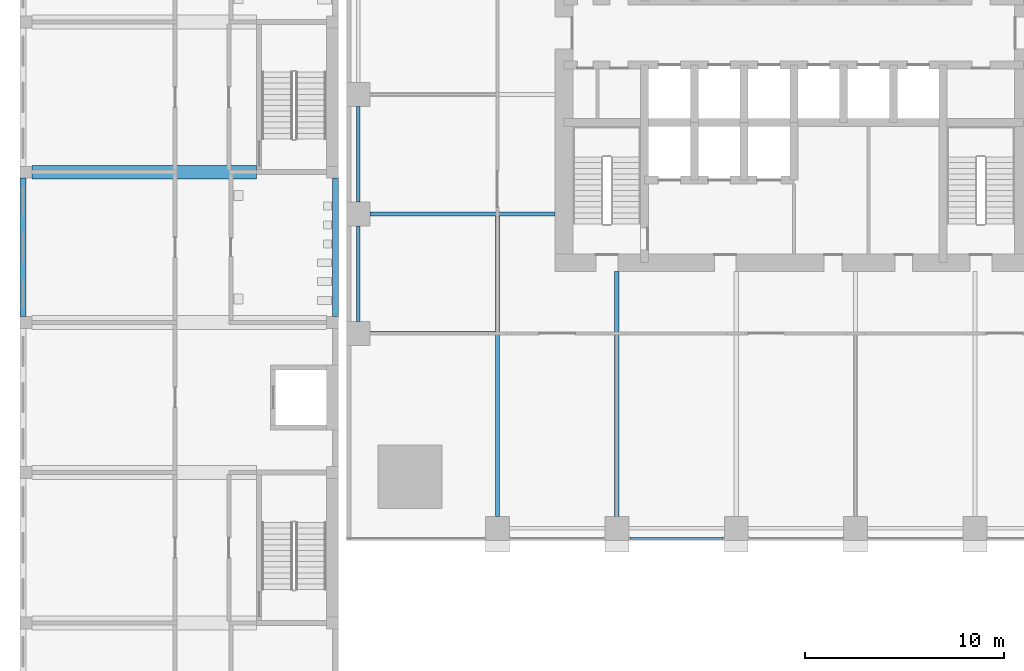
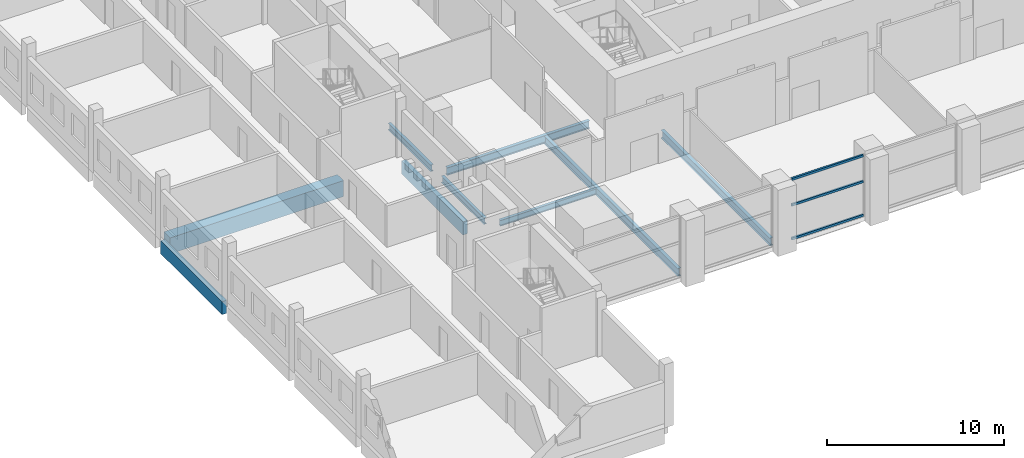
# One storey, part 3 of 24: 9 beams, 3 members, 1 element without a shape of its own.
"""IFC4 building model written with IfcOpenShell, lengths in metres."""

from ifc_helpers import new_model, si_unit, direction, frame, origin, origin_2d, place, context, subcontext, project, spatial, rectangle, i_section, extrude, material, material_profile, profile_set, type_object, element, aggregate, save


model = new_model("IFC4")

# Units and contexts
model_context = context("Model", 3, precision=1e-05, world=origin(), true_north=direction((0.0, 1.0)))
body_context = subcontext(model_context, "Body", "Model", "MODEL_VIEW")
ifc_project = project(units=[si_unit("LENGTHUNIT", "METRE"), si_unit("AREAUNIT", "SQUARE_METRE"), si_unit("VOLUMEUNIT", "CUBIC_METRE"), si_unit("PLANEANGLEUNIT", "RADIAN"), si_unit("MASSUNIT", "GRAM", prefix="KILO")], contexts=[model_context])

# Site, building, storey
site_placement = place(None, origin())
site = spatial("IfcSite", under=ifc_project, at=site_placement, CompositionType="ELEMENT")
building_placement = place(site_placement, origin())
building = spatial("IfcBuilding", under=site, at=building_placement, Name="Amberfall Residences", CompositionType="ELEMENT")
storey_placement = place(building_placement, frame((0.0, 0.0, 19.0)))
storey = spatial("IfcBuildingStorey", under=building, at=storey_placement, Name="L04", CompositionType="ELEMENT", Elevation=19.0)

# Curtain wall, members
ifc_material_1 = material(Name="Bronze anodised aluminium and glass", Category="aluminium")
curtain_wall_type = type_object("IfcCurtainWallType", Name="Curtain wall CW4 podium storefront", PredefinedType="USERDEFINED", material=ifc_material_1)
curtain_wall_placement = place(storey_placement, origin())
curtain_wall = element("IfcCurtainWall", 1, at=curtain_wall_placement, inside=storey, type_object=curtain_wall_type, Name="Storefront L04 S3", ObjectType="UNITISED CURTAIN WALL", PredefinedType="USERDEFINED")
ifc_material_2 = material(Name="Bronze anodised aluminium", Category="aluminium")
ifc_material_profile_1 = material_profile(ifc_material_2, rectangle(XDim=0.1201171875, YDim=0.14990234375, at=origin_2d()), Name="CW4 transom 120 x 150 bronze")
ifc_profile_set_1 = profile_set([ifc_material_profile_1], Name="Bronze anodised aluminium")
member_type = type_object("IfcMemberType", Name="CW4 transom 120 x 150 bronze", PredefinedType="USERDEFINED", material=ifc_profile_set_1)
member_1_placement = place(storey_placement, frame((66.27001953125, 20.10009765625, 0.074951171875), z_axis=(1.0, 0.0, 0.0), x_axis=(0.0, 1.0, 0.0)))
member_1 = element("IfcMember", 2, at=member_1_placement, type_object=member_type, Name="CW4 transom 1.1", ObjectType="TRANSOM", PredefinedType="USERDEFINED", context=body_context, shape_type="SweptSolid", body=[
    extrude(rectangle(XDim=0.1201171875, YDim=0.14990234375, at=origin_2d()), origin(), (0.0, 0.0, 1.0), 4.659912109375),
])
member_2_placement = place(storey_placement, frame((66.27001953125, 20.10009765625, 2.39990234375), z_axis=(1.0, 0.0, 0.0), x_axis=(0.0, 1.0, 0.0)))
member_2 = element("IfcMember", 3, at=member_2_placement, type_object=member_type, Name="CW4 transom 1.2", ObjectType="TRANSOM", PredefinedType="USERDEFINED", context=body_context, shape_type="SweptSolid", body=[
    extrude(rectangle(XDim=0.1201171875, YDim=0.14990234375, at=origin_2d()), origin(), (0.0, 0.0, 1.0), 4.659912109375),
])
member_3_placement = place(storey_placement, frame((66.27001953125, 20.10009765625, 4.175048828125), z_axis=(1.0, 0.0, 0.0), x_axis=(0.0, 1.0, 0.0)))
member_3 = element("IfcMember", 4, at=member_3_placement, type_object=member_type, Name="CW4 transom 1.3", ObjectType="TRANSOM", PredefinedType="USERDEFINED", context=body_context, shape_type="SweptSolid", body=[
    extrude(rectangle(XDim=0.1201171875, YDim=0.14990234375, at=origin_2d()), origin(), (0.0, 0.0, 1.0), 4.659912109375),
])
aggregate(curtain_wall, [member_1, member_2, member_3])

# Beams
ifc_material_3 = material(Name="Steel S355", Category="steel")
ifc_material_profile_2 = material_profile(ifc_material_3, i_section(OverallWidth=0.18994140625, OverallDepth=0.453369140625, WebThickness=0.008544921875, FlangeThickness=0.0126953125, FilletRadius=0.01025390625, at=origin_2d()), Name="UB 457x191x67")
ifc_profile_set_2 = profile_set([ifc_material_profile_2], Name="Steel S355")
beam_type_1 = type_object("IfcBeamType", Name="Edge beam UB 457x191x67", PredefinedType="SPANDREL", material=ifc_profile_set_2)
for number, where, z_axis, x_axis, name in (
    (5, (52.60009765625, 31.0, -0.526611328125), (0.0, 1.0, 0.0), (-1.0, 0.0, 0.0), "Edge beam B1 L04 34"),
    (6, (52.60009765625, 37.0, -0.526611328125), (0.0, 1.0, 0.0), (-1.0, 0.0, 0.0), "Edge beam B1 L04 35"),
):
    element("IfcBeam", number, at=place(storey_placement, frame(where, z_axis=z_axis, x_axis=x_axis)), inside=storey, type_object=beam_type_1, Name=name, PredefinedType="SPANDREL", context=body_context, shape_type="SweptSolid", body=[
        extrude(i_section(OverallWidth=0.18994140625, OverallDepth=0.453369140625, WebThickness=0.008544921875, FlangeThickness=0.0126953125, FilletRadius=0.01025390625, at=origin_2d()), origin(), (0.0, 0.0, 1.0), 4.800048828125),
    ])
ifc_material_profile_3 = material_profile(ifc_material_3, i_section(OverallWidth=0.177734375, OverallDepth=0.402587890625, WebThickness=0.0078125, FlangeThickness=0.010986328125, FilletRadius=0.01025390625, at=origin_2d()), Name="UB 406x178x54")
ifc_profile_set_3 = profile_set([ifc_material_profile_3], Name="Steel S355")
beam_type_2 = type_object("IfcBeamType", Name="Floor girder UB 406x178x54", PredefinedType="BEAM", material=ifc_profile_set_3)
beam_1_placement = place(storey_placement, frame((53.199951171875, 30.39990234375, -0.501220703125), z_axis=(1.0, 0.0, 0.0), x_axis=(0.0, 1.0, 0.0)))
element("IfcBeam", 7, at=beam_1_placement, inside=storey, type_object=beam_type_2, Name="Floor girder B4 L04 39", PredefinedType="BEAM", context=body_context, shape_type="SweptSolid", body=[
    extrude(i_section(OverallWidth=0.177734375, OverallDepth=0.402587890625, WebThickness=0.0078125, FlangeThickness=0.010986328125, FilletRadius=0.01025390625, at=origin_2d()), origin(), (0.0, 0.0, 1.0), 6.280029296875),
])
ifc_material_profile_4 = material_profile(ifc_material_3, i_section(OverallWidth=0.210693359375, OverallDepth=0.53955078125, WebThickness=0.01171875, FlangeThickness=0.018798828125, FilletRadius=0.0126953125, at=origin_2d()), Name="UB 533x210x109")
ifc_profile_set_4 = profile_set([ifc_material_profile_4], Name="Steel S355")
beam_type_3 = type_object("IfcBeamType", Name="Floor girder UB 533x210x109", PredefinedType="BEAM", material=ifc_profile_set_4)
beam_2_placement = place(storey_placement, frame((59.60009765625, 21.199951171875, -0.56982421875), z_axis=(0.0, 1.0, 0.0), x_axis=(-1.0, 0.0, 0.0)))
element("IfcBeam", 8, at=beam_2_placement, inside=storey, type_object=beam_type_3, Name="Floor girder B2 L04 06", PredefinedType="BEAM", context=body_context, shape_type="SweptSolid", body=[
    extrude(i_section(OverallWidth=0.210693359375, OverallDepth=0.53955078125, WebThickness=0.01171875, FlangeThickness=0.018798828125, FilletRadius=0.0126953125, at=origin_2d()), origin(), (0.0, 0.0, 1.0), 15.100341796875),
])
beam_3_placement = place(storey_placement, frame((65.60009765625, 21.199951171875, -0.56982421875), z_axis=(0.0, 1.0, 0.0), x_axis=(-1.0, 0.0, 0.0)))
element("IfcBeam", 9, at=beam_3_placement, inside=storey, type_object=beam_type_3, Name="Floor girder B2 L04 07", PredefinedType="BEAM", context=body_context, shape_type="SweptSolid", body=[
    extrude(i_section(OverallWidth=0.210693359375, OverallDepth=0.53955078125, WebThickness=0.01171875, FlangeThickness=0.018798828125, FilletRadius=0.0126953125, at=origin_2d()), origin(), (0.0, 0.0, 1.0), 12.300048828125),
])
ifc_material_profile_5 = material_profile(ifc_material_3, i_section(OverallWidth=0.209228515625, OverallDepth=0.533203125, WebThickness=0.010009765625, FlangeThickness=0.015625, FilletRadius=0.0126953125, at=origin_2d()), Name="UB 533x210x92")
ifc_profile_set_5 = profile_set([ifc_material_profile_5], Name="Steel S355")
beam_type_4 = type_object("IfcBeamType", Name="Floor girder UB 533x210x92", PredefinedType="BEAM", material=ifc_profile_set_5)
beam_4_placement = place(storey_placement, frame((53.199951171875, 36.39990234375, -0.566650390625), z_axis=(1.0, 0.0, 0.0), x_axis=(0.0, 1.0, 0.0)))
element("IfcBeam", 10, at=beam_4_placement, inside=storey, type_object=beam_type_4, Name="Floor girder B3 L04 40", PredefinedType="BEAM", context=body_context, shape_type="SweptSolid", body=[
    extrude(i_section(OverallWidth=0.209228515625, OverallDepth=0.533203125, WebThickness=0.010009765625, FlangeThickness=0.015625, FilletRadius=0.0126953125, at=origin_2d()), origin(), (0.0, 0.0, 1.0), 9.300048828125),
])
ifc_material_4 = material(Name="Concrete C40", Category="concrete")
ifc_material_profile_6 = material_profile(ifc_material_4, rectangle(XDim=0.699951171875, YDim=1.10009765625, at=origin_2d()), Name="School beam 700 x 1100 C40")
ifc_profile_set_6 = profile_set([ifc_material_profile_6], Name="Concrete C40")
beam_type_5 = type_object("IfcBeamType", Name="School beam 700 x 1100 C40", PredefinedType="BEAM", material=ifc_profile_set_6)
beam_5_placement = place(storey_placement, frame((36.199951171875, 38.5, -0.85009765625), z_axis=(1.0, 0.0, 0.0), x_axis=(0.0, 1.0, 0.0)))
element("IfcBeam", 11, at=beam_5_placement, inside=storey, type_object=beam_type_5, Name="TW4", PredefinedType="BEAM", context=body_context, shape_type="SweptSolid", body=[
    extrude(rectangle(XDim=0.699951171875, YDim=1.10009765625, at=origin_2d()), origin(), (0.0, 0.0, 1.0), 11.300048828125),
])
ifc_material_profile_7 = material_profile(ifc_material_4, rectangle(XDim=0.300048828125, YDim=0.89990234375, at=origin_2d()), Name="School edge beam 300 x 900 C40")
ifc_profile_set_7 = profile_set([ifc_material_profile_7], Name="Concrete C40")
beam_type_6 = type_object("IfcBeamType", Name="School edge beam 300 x 900 C40", PredefinedType="BEAM", material=ifc_profile_set_7)
for number, where, z_axis, x_axis, name in (
    (12, (35.75, 31.25, -0.75), (0.0, 1.0, 0.0), (-1.0, 0.0, 0.0), "GW3"),
    (13, (51.449951171875, 31.25, -0.75), (0.0, 1.0, 0.0), (-1.0, 0.0, 0.0), "GE3"),
):
    element("IfcBeam", number, at=place(storey_placement, frame(where, z_axis=z_axis, x_axis=x_axis)), inside=storey, type_object=beam_type_6, Name=name, PredefinedType="BEAM", context=body_context, shape_type="SweptSolid", body=[
        extrude(rectangle(XDim=0.300048828125, YDim=0.89990234375, at=origin_2d()), origin(), (0.0, 0.0, 1.0), 6.949951171875),
    ])

save(model, "model.ifc")
